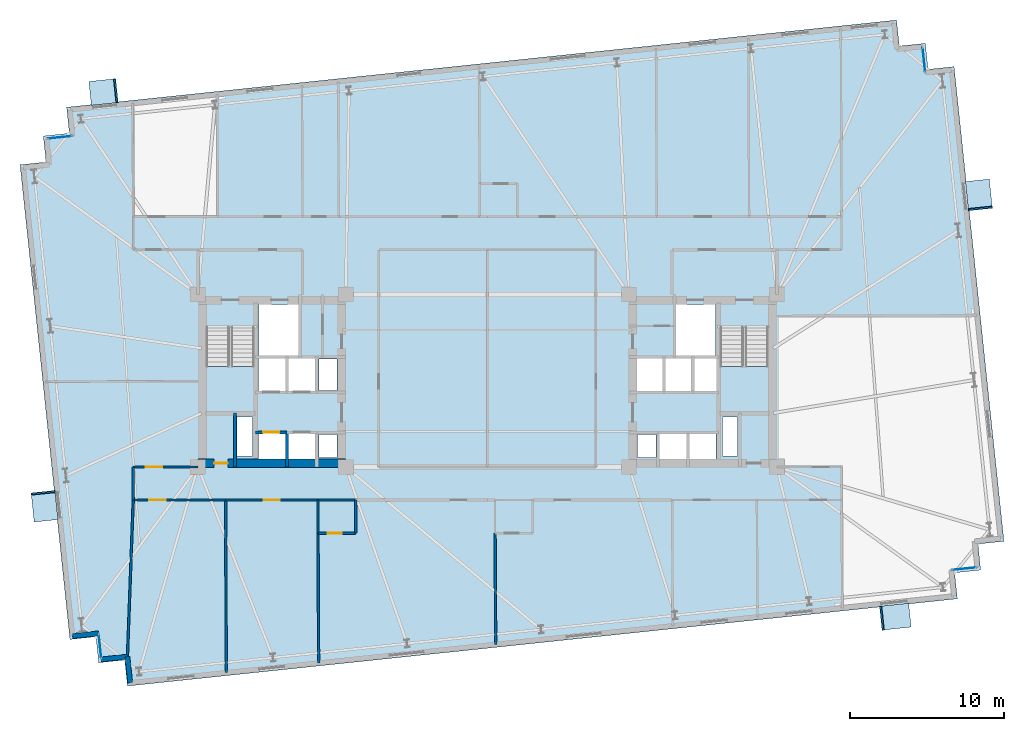
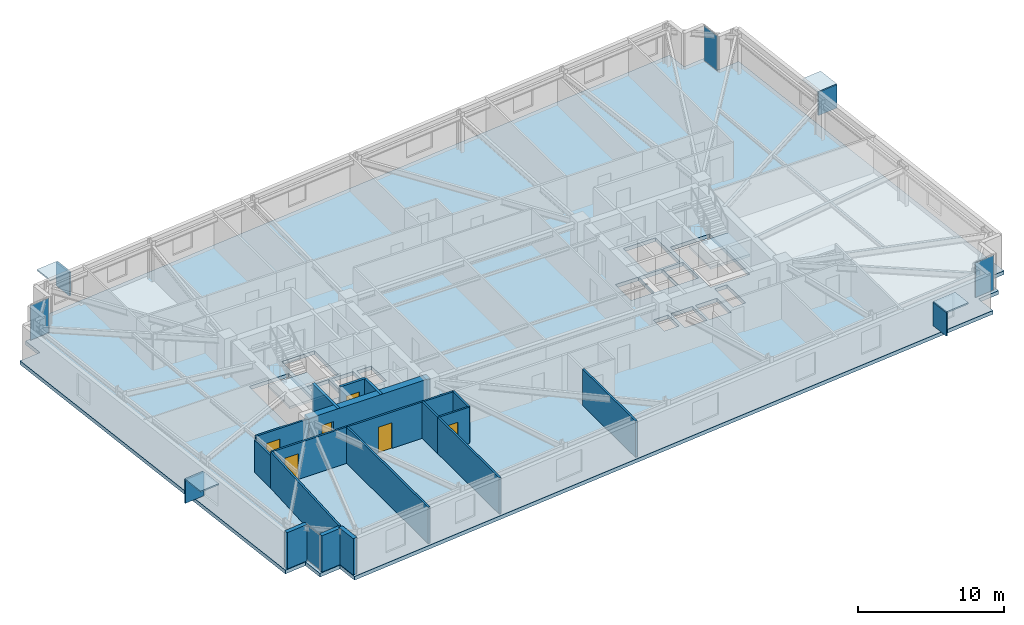
# One storey, part 11 of 18: 19 walls, 12 plates, 6 doors, 3 slabs, 6 openings, 6 elements without a shape of their own.
"""IFC4 building model written with IfcOpenShell, lengths in metres."""

from ifc_helpers import new_model, si_unit, direction, frame, frame_2d, origin, origin_2d, place, context, subcontext, project, spatial, polyline, rectangle, outline, extrude, material, layer, layer_set, type_object, element, fill, aggregate, save


model = new_model("IFC4")

# Units and contexts
model_context = context("Model", 3, precision=1e-05, world=origin(), true_north=direction((0.0, 1.0)))
body_context = subcontext(model_context, "Body", "Model", "MODEL_VIEW")
ifc_project = project(units=[si_unit("LENGTHUNIT", "METRE"), si_unit("AREAUNIT", "SQUARE_METRE"), si_unit("VOLUMEUNIT", "CUBIC_METRE"), si_unit("PLANEANGLEUNIT", "RADIAN"), si_unit("MASSUNIT", "GRAM", prefix="KILO")], contexts=[model_context])

# Site, building, storey
site_placement = place(None, origin())
site = spatial("IfcSite", under=ifc_project, at=site_placement, CompositionType="ELEMENT")
building_placement = place(site_placement, origin())
building = spatial("IfcBuilding", under=site, at=building_placement, Name="Qobustan Lattice House", CompositionType="ELEMENT")
storey_placement = place(building_placement, frame((0.0, 0.0, 109.14990234375)))
storey = spatial("IfcBuildingStorey", under=building, at=storey_placement, Name="L30", CompositionType="ELEMENT", Elevation=109.14990234375)

# Curtain wall, plate
ifc_material_1 = material(Name="Anodised aluminium and low-E glazing", Category="aluminium")
ifc_layer_1 = layer(ifc_material_1, 0.219970703125)
ifc_layer_set_1 = layer_set([ifc_layer_1], Name="Anodised aluminium and low-E glazing")
curtain_wall_type = type_object("IfcCurtainWallType", Name="CW-FAC-01", PredefinedType="USERDEFINED", material=ifc_layer_set_1)
curtain_wall_1_placement = place(storey_placement, origin())
curtain_wall_1 = element("IfcCurtainWall", 1, at=curtain_wall_1_placement, inside=storey, type_object=curtain_wall_type, Name="L30 serrated corner faceted glazing 3", ObjectType="CURTAIN WALL", PredefinedType="USERDEFINED")
ifc_material_2 = material(Name="Clear low-E laminated glass", Category="glass")
ifc_layer_2 = layer(ifc_material_2, 0.031982421875)
ifc_layer_set_2 = layer_set([ifc_layer_2], Name="Clear low-E laminated glass")
plate_type_1 = type_object("IfcPlateType", Name="CWP-VISION-32", PredefinedType="CURTAIN_PANEL", material=ifc_layer_set_2)
plate_1_placement = place(storey_placement, frame((-25.155029296875, -17.2509765625, 0.065185546875), z_axis=(0.0, 0.0, 1.0), x_axis=(-0.104528620025, 0.994521878892, 0.0)))
plate_1 = element("IfcPlate", 2, at=plate_1_placement, type_object=plate_type_1, Name="CW-F1 panel 1.1", PredefinedType="CURTAIN_PANEL", context=body_context, shape_type="SweptSolid", body=[
    extrude(rectangle(XDim=1.56005859375, YDim=0.031982421875, at=origin_2d()), origin(), (0.0, 0.0, 1.0), 2.9150390625),
])
aggregate(curtain_wall_1, [plate_1])

curtain_wall_2_placement = place(storey_placement, origin())
curtain_wall_2 = element("IfcCurtainWall", 3, at=curtain_wall_2_placement, inside=storey, type_object=curtain_wall_type, Name="L30 serrated corner faceted glazing 8", ObjectType="CURTAIN WALL", PredefinedType="USERDEFINED")
plate_2_placement = place(storey_placement, frame((-27.77490234375, 15.80615234375, 0.065185546875), z_axis=(0.0, 0.0, 1.0), x_axis=(0.994521878892, 0.104528620025, 0.0)))
plate_2 = element("IfcPlate", 4, at=plate_2_placement, type_object=plate_type_1, Name="CW-F1 panel 1.1", PredefinedType="CURTAIN_PANEL", context=body_context, shape_type="SweptSolid", body=[
    extrude(rectangle(XDim=1.56005859375, YDim=0.031982421875, at=origin_2d()), origin(), (0.0, 0.0, 1.0), 2.9150390625),
])
aggregate(curtain_wall_2, [plate_2])

curtain_wall_3_placement = place(storey_placement, origin())
curtain_wall_3 = element("IfcCurtainWall", 5, at=curtain_wall_3_placement, inside=storey, type_object=curtain_wall_type, Name="L30 serrated corner faceted glazing 13", ObjectType="CURTAIN WALL", PredefinedType="USERDEFINED")
plate_3_placement = place(storey_placement, frame((28.355224609375, 20.85107421875, 0.065185546875), z_axis=(0.0, 0.0, 1.0), x_axis=(0.104528620025, -0.994521878892, 0.0)))
plate_3 = element("IfcPlate", 6, at=plate_3_placement, type_object=plate_type_1, Name="CW-F1 panel 1.1", PredefinedType="CURTAIN_PANEL", context=body_context, shape_type="SweptSolid", body=[
    extrude(rectangle(XDim=1.56005859375, YDim=0.031982421875, at=origin_2d()), origin(), (0.0, 0.0, 1.0), 2.9150390625),
])
aggregate(curtain_wall_3, [plate_3])

curtain_wall_4_placement = place(storey_placement, origin())
curtain_wall_4 = element("IfcCurtainWall", 7, at=curtain_wall_4_placement, inside=storey, type_object=curtain_wall_type, Name="L30 serrated corner faceted glazing 18", ObjectType="CURTAIN WALL", PredefinedType="USERDEFINED")
plate_4_placement = place(storey_placement, frame((30.974853515625, -12.206298828125, 0.065185546875), z_axis=(0.0, 0.0, 1.0), x_axis=(-0.994521878892, -0.104528620025, 0.0)))
plate_4 = element("IfcPlate", 8, at=plate_4_placement, type_object=plate_type_1, Name="CW-F1 panel 1.1", PredefinedType="CURTAIN_PANEL", context=body_context, shape_type="SweptSolid", body=[
    extrude(rectangle(XDim=1.56005859375, YDim=0.031982421875, at=origin_2d()), origin(), (0.0, 0.0, 1.0), 2.9150390625),
])
aggregate(curtain_wall_4, [plate_4])

# Plates
ifc_material_3 = material(Name="Qobustan limestone GFRC", Category="masonry")
ifc_layer_3 = layer(ifc_material_3, 0.1201171875)
ifc_layer_set_3 = layer_set([ifc_layer_3], Name="Qobustan limestone GFRC")
plate_type_2 = type_object("IfcPlateType", Name="SHD-HOOD-BROW", PredefinedType="USERDEFINED", material=ifc_layer_set_3)
plate_5_placement = place(storey_placement, frame((-28.755615234375, -8.156494140625, 2.699951171875), z_axis=(0.0, 0.0, 1.0), x_axis=(-0.104528463268, 0.994521895368, 0.0)))
element("IfcPlate", 9, at=plate_5_placement, inside=storey, type_object=plate_type_2, Name="L30 splayed Qobustan stone hood brow", ObjectType="SUNSHADE", PredefinedType="USERDEFINED", context=body_context, shape_type="SweptSolid", body=[
    extrude(rectangle(XDim=1.889892578125, YDim=1.56005859375, at=origin_2d()), origin(), (0.0, 0.0, 1.0), 0.1201171875),
])
plate_6_placement = place(storey_placement, frame((-28.84814453125, -7.276123046875, 0.7900390625), z_axis=(0.0, 0.0, 1.0), x_axis=(-0.104528463268, 0.994521895368, 0.0)))
element("IfcPlate", 10, at=plate_6_placement, inside=storey, type_object=plate_type_2, Name="L30 splayed Qobustan stone hood cheek", ObjectType="SUNSHADE", PredefinedType="USERDEFINED", context=body_context, shape_type="SweptSolid", body=[
    extrude(rectangle(XDim=0.1201171875, YDim=1.56005859375, at=origin_2d()), origin(), (0.0, 0.0, 1.0), 1.969970703125),
])
plate_7_placement = place(storey_placement, frame((-24.935302734375, 18.7490234375, 2.699951171875), z_axis=(0.0, 0.0, 1.0), x_axis=(0.994521895368, 0.104528463268, 0.0)))
element("IfcPlate", 11, at=plate_7_placement, inside=storey, type_object=plate_type_2, Name="L30 splayed Qobustan stone hood brow", ObjectType="SUNSHADE", PredefinedType="USERDEFINED", context=body_context, shape_type="SweptSolid", body=[
    extrude(rectangle(XDim=1.739990234375, YDim=1.56005859375, at=origin_2d()), origin(), (0.0, 0.0, 1.0), 0.1201171875),
])
plate_8_placement = place(storey_placement, frame((-24.129638671875, 18.833740234375, 0.7900390625), z_axis=(0.0, 0.0, 1.0), x_axis=(0.994521895368, 0.104528463268, 0.0)))
element("IfcPlate", 12, at=plate_8_placement, inside=storey, type_object=plate_type_2, Name="L30 splayed Qobustan stone hood cheek", ObjectType="SUNSHADE", PredefinedType="USERDEFINED", context=body_context, shape_type="SweptSolid", body=[
    extrude(rectangle(XDim=0.1201171875, YDim=1.56005859375, at=origin_2d()), origin(), (0.0, 0.0, 1.0), 1.969970703125),
])
plate_9_placement = place(storey_placement, frame((31.922119140625, 12.074951171875, 2.699951171875), z_axis=(0.0, 0.0, 1.0), x_axis=(0.104528463268, -0.994521895368, 0.0)))
element("IfcPlate", 13, at=plate_9_placement, inside=storey, type_object=plate_type_2, Name="L30 splayed Qobustan stone hood brow", ObjectType="SUNSHADE", PredefinedType="USERDEFINED", context=body_context, shape_type="SweptSolid", body=[
    extrude(rectangle(XDim=1.889892578125, YDim=1.56005859375, at=origin_2d()), origin(), (0.0, 0.0, 1.0), 0.1201171875),
])
plate_10_placement = place(storey_placement, frame((32.0146484375, 11.19482421875, 0.7900390625), z_axis=(0.0, 0.0, 1.0), x_axis=(0.104528463268, -0.994521895368, 0.0)))
element("IfcPlate", 14, at=plate_10_placement, inside=storey, type_object=plate_type_2, Name="L30 splayed Qobustan stone hood cheek", ObjectType="SUNSHADE", PredefinedType="USERDEFINED", context=body_context, shape_type="SweptSolid", body=[
    extrude(rectangle(XDim=0.1201171875, YDim=1.56005859375, at=origin_2d()), origin(), (0.0, 0.0, 1.0), 1.969970703125),
])
plate_11_placement = place(storey_placement, frame((26.503173828125, -15.32080078125, 2.699951171875), z_axis=(0.0, 0.0, 1.0), x_axis=(-0.994521895368, -0.104528463268, 0.0)))
element("IfcPlate", 15, at=plate_11_placement, inside=storey, type_object=plate_type_2, Name="L30 splayed Qobustan stone hood brow", ObjectType="SUNSHADE", PredefinedType="USERDEFINED", context=body_context, shape_type="SweptSolid", body=[
    extrude(rectangle(XDim=1.889892578125, YDim=1.56005859375, at=origin_2d()), origin(), (0.0, 0.0, 1.0), 0.1201171875),
])
plate_12_placement = place(storey_placement, frame((25.623046875, -15.4130859375, 0.7900390625), z_axis=(0.0, 0.0, 1.0), x_axis=(-0.994521895368, -0.104528463268, 0.0)))
element("IfcPlate", 16, at=plate_12_placement, inside=storey, type_object=plate_type_2, Name="L30 splayed Qobustan stone hood cheek", ObjectType="SUNSHADE", PredefinedType="USERDEFINED", context=body_context, shape_type="SweptSolid", body=[
    extrude(rectangle(XDim=0.1201171875, YDim=1.56005859375, at=origin_2d()), origin(), (0.0, 0.0, 1.0), 1.969970703125),
])

# Slab
ifc_material_4 = material(Name="Concrete C40/50", Category="concrete")
ifc_layer_4 = layer(ifc_material_4, 0.304931640625)
ifc_layer_set_4 = layer_set([ifc_layer_4], Name="Concrete C40/50")
slab_type_1 = type_object("IfcSlabType", Name="SLB-FLR-305", PredefinedType="FLOOR", material=ifc_layer_set_4)
slab_1_placement = place(storey_placement, frame((0.0, 0.0, -0.304931640625)))
element("IfcSlab", 17, at=slab_1_placement, inside=storey, type_object=slab_type_1, Name="L30 structural floor slab", PredefinedType="FLOOR", context=body_context, shape_type="SweptSolid", body=[
    extrude(outline(polyline([(-23.3759765625, -19.8291015625), (30.527099609375, -14.163818359375), (30.349365234375, -12.47314453125), (32.0400390625, -12.29541015625), (31.8623046875, -10.604736328125), (33.552978515625, -10.427001953125), (30.312744140625, 20.4033203125), (28.6220703125, 20.2255859375), (28.4443359375, 21.916259765625), (26.753662109375, 21.738525390625), (26.575927734375, 23.42919921875), (-27.3271484375, 17.763671875), (-27.1494140625, 16.072998046875), (-28.840087890625, 15.8955078125), (-28.662353515625, 14.20458984375), (-30.35302734375, 14.027099609375), (-27.11279296875, -16.80322265625), (-25.422119140625, -16.62548828125), (-25.244384765625, -18.316162109375), (-23.5537109375, -18.138427734375), (-23.3759765625, -19.8291015625)]), holes=[polyline([(-18.25, -2.050048828125), (-18.25, 3.489990234375), (-15.1298828125, 3.489990234375), (-15.1298828125, -2.050048828125), (-18.25, -2.050048828125)]), polyline([(15.1298828125, -2.050048828125), (15.1298828125, 3.489990234375), (18.25, 3.489990234375), (18.25, -2.050048828125), (15.1298828125, -2.050048828125)]), polyline([(-14.820068359375, 1.64990234375), (-14.820068359375, 4.9599609375), (-12.25, 4.9599609375), (-12.25, 1.64990234375), (-14.820068359375, 1.64990234375)]), polyline([(12.25, 1.64990234375), (12.25, 4.9599609375), (14.820068359375, 4.9599609375), (14.820068359375, 1.64990234375), (12.25, 1.64990234375)]), polyline([(-16.260009765625, -4.8798828125), (-16.260009765625, -2.360107421875), (-15.260009765625, -2.360107421875), (-15.260009765625, -4.8798828125), (-16.260009765625, -4.8798828125)]), polyline([(15.260009765625, -4.8798828125), (15.260009765625, -2.360107421875), (16.260009765625, -2.360107421875), (16.260009765625, -4.8798828125), (15.260009765625, -4.8798828125)]), polyline([(-14.85009765625, -5.35009765625), (-14.85009765625, -3.419921875), (-13.1201171875, -3.419921875), (-13.1201171875, -5.35009765625), (-14.85009765625, -5.35009765625)]), polyline([(-12.919921875, -5.35009765625), (-12.919921875, -3.419921875), (-11.179931640625, -3.419921875), (-11.179931640625, -5.35009765625), (-12.919921875, -5.35009765625)]), polyline([(-14.85009765625, -0.679931640625), (-14.85009765625, 1.47998046875), (-13.1201171875, 1.47998046875), (-13.1201171875, -0.679931640625), (-14.85009765625, -0.679931640625)]), polyline([(-12.919921875, -0.679931640625), (-12.919921875, 1.47998046875), (-11.179931640625, 1.47998046875), (-11.179931640625, -0.679931640625), (-12.919921875, -0.679931640625)]), polyline([(-10.93994140625, -5.0), (-10.93994140625, -3.47998046875), (-9.760009765625, -3.47998046875), (-9.760009765625, -5.0), (-10.93994140625, -5.0)]), polyline([(-10.93994140625, -0.6201171875), (-10.93994140625, 1.419921875), (-9.760009765625, 1.419921875), (-9.760009765625, -0.6201171875), (-10.93994140625, -0.6201171875)]), polyline([(11.179931640625, -5.35009765625), (11.179931640625, -3.419921875), (12.919921875, -3.419921875), (12.919921875, -5.35009765625), (11.179931640625, -5.35009765625)]), polyline([(13.1201171875, -5.35009765625), (13.1201171875, -3.419921875), (14.85009765625, -3.419921875), (14.85009765625, -5.35009765625), (13.1201171875, -5.35009765625)]), polyline([(9.760009765625, -5.0), (9.760009765625, -3.47998046875), (10.93994140625, -3.47998046875), (10.93994140625, -5.0), (9.760009765625, -5.0)]), polyline([(13.360107421875, -0.679931640625), (13.360107421875, 1.47998046875), (14.97998046875, 1.47998046875), (14.97998046875, -0.679931640625), (13.360107421875, -0.679931640625)]), polyline([(9.6201171875, -0.679931640625), (9.6201171875, 1.47998046875), (11.43994140625, 1.47998046875), (11.43994140625, -0.679931640625), (9.6201171875, -0.679931640625)]), polyline([(11.5, -0.679931640625), (11.5, 1.47998046875), (13.320068359375, 1.47998046875), (13.320068359375, -0.679931640625), (11.5, -0.679931640625)])]), origin(), (0.0, 0.0, 1.0), 0.304931640625),
])

# Stair, slab
ifc_material_5 = material(Name="Concrete C40/50", Category="concrete")
stair_type = type_object("IfcStairType", Name="STR-CORE-DOGLEG", PredefinedType="HALF_TURN_STAIR", material=ifc_material_5)
stair_1_placement = place(storey_placement, origin())
stair_1 = element("IfcStair", 18, at=stair_1_placement, inside=storey, type_object=stair_type, Name="L30 West protected exit stair ST-W1", PredefinedType="HALF_TURN_STAIR")
ifc_material_6 = material(Name="Concrete C40/50", Category="concrete")
ifc_layer_5 = layer(ifc_material_6, 0.199951171875)
ifc_layer_set_5 = layer_set([ifc_layer_5], Name="Concrete C40/50")
slab_type_2 = type_object("IfcSlabType", Name="SLB-LANDING-200", PredefinedType="LANDING", material=ifc_layer_set_5)
slab_2_placement = place(storey_placement, frame((0.0, 0.0, 1.47509765625)))
slab_2 = element("IfcSlab", 19, at=slab_2_placement, type_object=slab_type_2, Name="ST-W1 landing 1", PredefinedType="LANDING", context=body_context, shape_type="SweptSolid", body=[
    extrude(outline(polyline([(-18.25, 0.93505859375), (-18.25, -2.050048828125), (-15.1298828125, -2.050048828125), (-15.1298828125, 0.93505859375), (-18.25, 0.93505859375)])), origin(), (0.0, 0.0, 1.0), 0.199951171875),
])
aggregate(stair_1, [slab_2])

stair_2_placement = place(storey_placement, origin())
stair_2 = element("IfcStair", 20, at=stair_2_placement, inside=storey, type_object=stair_type, Name="L30 East protected exit stair ST-E1", PredefinedType="HALF_TURN_STAIR")
slab_3_placement = place(storey_placement, frame((0.0, 0.0, 1.47509765625)))
slab_3 = element("IfcSlab", 21, at=slab_3_placement, type_object=slab_type_2, Name="ST-E1 landing 1", PredefinedType="LANDING", context=body_context, shape_type="SweptSolid", body=[
    extrude(outline(polyline([(15.1298828125, 0.93505859375), (15.1298828125, -2.050048828125), (18.25, -2.050048828125), (18.25, 0.93505859375), (15.1298828125, 0.93505859375)])), origin(), (0.0, 0.0, 1.0), 0.199951171875),
])
aggregate(stair_2, [slab_3])

# Wall, opening, door
ifc_material_7 = material(Name="Concrete C60/75", Category="concrete")
ifc_layer_6 = layer(ifc_material_7, 0.56005859375)
ifc_layer_set_6 = layer_set([ifc_layer_6], Name="Concrete C60/75")
wall_type_1 = type_object("IfcWallType", Name="WAL-CORE-600", PredefinedType="SHEAR", material=ifc_layer_set_6)
wall_1_placement = place(storey_placement, frame((-18.800048828125, -5.35009765625, 0.0), z_axis=(0.0, 0.0, 1.0), x_axis=(1.0, 0.0, 0.0)))
wall_1 = element("IfcWall", 22, at=wall_1_placement, inside=storey, type_object=wall_type_1, Name="L30 split-core shear wall CW-S", PredefinedType="SHEAR", context=body_context, shape_type="SweptSolid", body=[
    extrude(rectangle(XDim=9.60009765625, YDim=0.56005859375, at=frame_2d((4.800048828125, 0.0))), origin(), (0.0, 0.0, 1.0), 3.045166015625),
])
opening_1_placement = place(wall_1_placement, frame((1.050048828125, 0.0, 0.0)))
opening_1 = element("IfcOpeningElement", 23, at=opening_1_placement, cuts=wall_1, Name="Opening RD-01", PredefinedType="OPENING", context=body_context, shape_type="SweptSolid", body=[
    extrude(rectangle(XDim=0.89990234375, YDim=2.10009765625, at=frame_2d((0.449951171875, 1.050048828125))), frame((0.0, 0.2900390625, 0.0), z_axis=(0.0, -1.0, 0.0), x_axis=(1.0, 0.0, 0.0)), (0.0, 0.0, 1.0), 0.580078125),
])
ifc_material_8 = material(Name="Persian walnut timber and steel frame door", Category="steel")
door_type_1 = type_object("IfcDoorType", Name="DOR-RISER-FD-900x2100", OperationType="NOTDEFINED", PredefinedType="DOOR", material=ifc_material_8)
door_1_placement = place(opening_1_placement, origin())
door_1 = element("IfcDoor", 24, at=door_1_placement, inside=storey, type_object=door_type_1, Name="L30 core service riser access door W", OperationType="SINGLE_SWING_RIGHT", OverallHeight=2.10009765625, OverallWidth=0.89990234375, PredefinedType="DOOR", context=body_context, shape_type="SweptSolid", body=[
    extrude(rectangle(XDim=0.89990234375, YDim=2.10009765625, at=frame_2d((0.449951171875, 1.050048828125))), frame((0.0, 0.02490234375, 0.0), z_axis=(0.0, -1.0, 0.0), x_axis=(1.0, 0.0, 0.0)), (0.0, 0.0, 1.0), 0.050048828125),
])
fill(opening_1, door_1)

# Walls
ifc_material_9 = material(Name="Precast concrete C40/50", Category="concrete")
ifc_layer_7 = layer(ifc_material_9, 0.320068359375)
ifc_layer_set_7 = layer_set([ifc_layer_7], Name="Precast concrete C40/50")
wall_type_2 = type_object("IfcWallType", Name="WAL-EXT-STONE-320", PredefinedType="SOLIDWALL", material=ifc_layer_set_7)
for number, where, z_axis, x_axis, name in (
    (25, (-23.197998046875, -19.609375, 0.0), (0.0, 0.0, 1.0), (-0.104550220202, 0.994519608382, 0.0), "L30 exterior limestone-clad wall 1"),
    (26, (-23.375732421875, -17.918701171875, 0.0), (0.0, 0.0, 1.0), (-0.994519608382, -0.104550220202, 0.0), "L30 exterior limestone-clad wall 2"),
):
    element("IfcWall", number, at=place(storey_placement, frame(where, z_axis=z_axis, x_axis=x_axis)), inside=storey, type_object=wall_type_2, Name=name, PredefinedType="SOLIDWALL", context=body_context, shape_type="SweptSolid", body=[
        extrude(rectangle(XDim=1.699951171875, YDim=0.320068359375, at=frame_2d((0.85009765625, 0.0))), origin(), (0.0, 0.0, 1.0), 3.045166015625),
    ])
wall_2_placement = place(storey_placement, frame((-25.243896484375, -16.40576171875, 0.0), z_axis=(0.0, 0.0, 1.0), x_axis=(-0.994521177842, -0.104535289845, 0.0)))
element("IfcWall", 27, at=wall_2_placement, inside=storey, type_object=wall_type_2, Name="L30 exterior limestone-clad wall 4", PredefinedType="SOLIDWALL", context=body_context, shape_type="SweptSolid", body=[
    extrude(rectangle(XDim=1.7001953125, YDim=0.320068359375, at=frame_2d((0.85009765625, 0.0))), origin(), (0.0, 0.0, 1.0), 3.045166015625),
])

# Wall, opening, door
ifc_material_10 = material(Name="Acoustic twin-stud gypsum partition", Category="gypsum")
ifc_layer_8 = layer(ifc_material_10, 0.14990234375)
ifc_layer_set_8 = layer_set([ifc_layer_8], Name="Acoustic twin-stud gypsum partition")
wall_type_3 = type_object("IfcWallType", Name="WAL-PART-150", PredefinedType="PARTITIONING", material=ifc_layer_set_8)
wall_3_placement = place(storey_placement, frame((-23.0, -5.60009765625, 0.0), z_axis=(0.0, 0.0, 1.0), x_axis=(1.0, 0.0, 0.0)))
wall_3 = element("IfcWall", 28, at=wall_3_placement, inside=storey, type_object=wall_type_3, Name="L30 interior partition 53", PredefinedType="PARTITIONING", context=body_context, shape_type="SweptSolid", body=[
    extrude(rectangle(XDim=4.199951171875, YDim=0.14990234375, at=frame_2d((2.10009765625, 0.0))), origin(), (0.0, 0.0, 1.0), 3.045166015625),
])
opening_2_placement = place(wall_3_placement, frame((0.82861328125, 0.0, 0.0)))
opening_2 = element("IfcOpeningElement", 29, at=opening_2_placement, cuts=wall_3, Name="Opening ID-02", PredefinedType="OPENING", context=body_context, shape_type="SweptSolid", body=[
    extrude(rectangle(XDim=1.050048828125, YDim=2.14990234375, at=frame_2d((0.52490234375, 1.074951171875))), frame((0.0, 0.0849609375, 0.0), z_axis=(0.0, -1.0, 0.0), x_axis=(1.0, 0.0, 0.0)), (0.0, 0.0, 1.0), 0.169921875),
])
ifc_material_11 = material(Name="Persian walnut timber and steel frame door", Category="steel")
door_type_2 = type_object("IfcDoorType", Name="DOR-STUDY-1050x2150", OperationType="NOTDEFINED", PredefinedType="DOOR", material=ifc_material_11)
door_2_placement = place(opening_2_placement, origin())
door_2 = element("IfcDoor", 30, at=door_2_placement, inside=storey, type_object=door_type_2, Name="L30 South-west floor corridor to Academic seminar room door", OperationType="SINGLE_SWING_LEFT", OverallHeight=2.14990234375, OverallWidth=1.050048828125, PredefinedType="DOOR", context=body_context, shape_type="SweptSolid", body=[
    extrude(rectangle(XDim=1.050048828125, YDim=2.14990234375, at=frame_2d((0.52490234375, 1.074951171875))), frame((0.0, 0.02490234375, 0.0), z_axis=(0.0, -1.0, 0.0), x_axis=(1.0, 0.0, 0.0)), (0.0, 0.0, 1.0), 0.050048828125),
])
fill(opening_2, door_2)

# Wall
wall_4_placement = place(storey_placement, frame((-23.0, -7.75, 0.0), z_axis=(0.0, 0.0, 1.0), x_axis=(0.0, 1.0, 0.0)))
element("IfcWall", 31, at=wall_4_placement, inside=storey, type_object=wall_type_3, Name="L30 interior partition 54", PredefinedType="PARTITIONING", context=body_context, shape_type="SweptSolid", body=[
    extrude(rectangle(XDim=2.14990234375, YDim=0.14990234375, at=frame_2d((1.074951171875, 0.0))), origin(), (0.0, 0.0, 1.0), 2.7001953125),
])

# Wall, opening, door
wall_5_placement = place(storey_placement, frame((-17.0, -7.75, 0.0), z_axis=(0.0, 0.0, 1.0), x_axis=(-1.0, 0.0, 0.0)))
wall_5 = element("IfcWall", 32, at=wall_5_placement, inside=storey, type_object=wall_type_3, Name="L30 interior partition 55", PredefinedType="PARTITIONING", context=body_context, shape_type="SweptSolid", body=[
    extrude(rectangle(XDim=6.0, YDim=0.14990234375, at=frame_2d((3.0, 0.0))), origin(), (0.0, 0.0, 1.0), 3.045166015625),
])
opening_3_placement = place(wall_5_placement, frame((3.896240234375, 0.0, 0.0)))
opening_3 = element("IfcOpeningElement", 33, at=opening_3_placement, cuts=wall_5, Name="Opening ID-02", PredefinedType="OPENING", context=body_context, shape_type="SweptSolid", body=[
    extrude(rectangle(XDim=1.050048828125, YDim=2.14990234375, at=frame_2d((0.52490234375, 1.074951171875))), frame((0.0, 0.0849609375, 0.0), z_axis=(0.0, -1.0, 0.0), x_axis=(1.0, 0.0, 0.0)), (0.0, 0.0, 1.0), 0.169921875),
])
door_3_placement = place(opening_3_placement, origin())
door_3 = element("IfcDoor", 34, at=door_3_placement, inside=storey, type_object=door_type_2, Name="L30 South-west floor corridor to Focus study room S1A door", OperationType="SINGLE_SWING_RIGHT", OverallHeight=2.14990234375, OverallWidth=1.050048828125, PredefinedType="DOOR", context=body_context, shape_type="SweptSolid", body=[
    extrude(rectangle(XDim=1.050048828125, YDim=2.14990234375, at=frame_2d((0.52490234375, 1.074951171875))), frame((0.0, 0.02490234375, 0.0), z_axis=(0.0, -1.0, 0.0), x_axis=(1.0, 0.0, 0.0)), (0.0, 0.0, 1.0), 0.050048828125),
])
fill(opening_3, door_3)

wall_6_placement = place(storey_placement, frame((-11.0, -7.75, 0.0), z_axis=(0.0, 0.0, 1.0), x_axis=(-1.0, 0.0, 0.0)))
wall_6 = element("IfcWall", 35, at=wall_6_placement, inside=storey, type_object=wall_type_3, Name="L30 interior partition 56", PredefinedType="PARTITIONING", context=body_context, shape_type="SweptSolid", body=[
    extrude(rectangle(XDim=6.0, YDim=0.14990234375, at=frame_2d((3.0, 0.0))), origin(), (0.0, 0.0, 1.0), 3.045166015625),
])
opening_4_placement = place(wall_6_placement, frame((2.47509765625, 0.0, 0.0)))
opening_4 = element("IfcOpeningElement", 36, at=opening_4_placement, cuts=wall_6, Name="Opening ID-02", PredefinedType="OPENING", context=body_context, shape_type="SweptSolid", body=[
    extrude(rectangle(XDim=1.050048828125, YDim=2.14990234375, at=frame_2d((0.52490234375, 1.074951171875))), frame((0.0, 0.0849609375, 0.0), z_axis=(0.0, -1.0, 0.0), x_axis=(1.0, 0.0, 0.0)), (0.0, 0.0, 1.0), 0.169921875),
])
door_4_placement = place(opening_4_placement, origin())
door_4 = element("IfcDoor", 37, at=door_4_placement, inside=storey, type_object=door_type_2, Name="L30 South-west floor corridor to Focus study room S1B door", OperationType="SINGLE_SWING_LEFT", OverallHeight=2.14990234375, OverallWidth=1.050048828125, PredefinedType="DOOR", context=body_context, shape_type="SweptSolid", body=[
    extrude(rectangle(XDim=1.050048828125, YDim=2.14990234375, at=frame_2d((0.52490234375, 1.074951171875))), frame((0.0, 0.02490234375, 0.0), z_axis=(0.0, -1.0, 0.0), x_axis=(1.0, 0.0, 0.0)), (0.0, 0.0, 1.0), 0.050048828125),
])
fill(opening_4, door_4)

# Walls
wall_7_placement = place(storey_placement, frame((-23.0, -7.75, 0.0), z_axis=(0.0, 0.0, 1.0), x_axis=(-0.036924695214, -0.999318050914, 0.0)))
element("IfcWall", 38, at=wall_7_placement, inside=storey, type_object=wall_type_3, Name="L30 interior partition 71", PredefinedType="PARTITIONING", context=body_context, shape_type="SweptSolid", body=[
    extrude(rectangle(XDim=10.175537109375, YDim=0.14990234375, at=frame_2d((5.087890625, 0.0))), origin(), (0.0, 0.0, 1.0), 3.045166015625),
])
wall_8_placement = place(storey_placement, frame((-17.0, -7.75, 0.0), z_axis=(0.0, 0.0, 1.0), x_axis=(0.003922478487, -0.999992307052, 0.0)))
element("IfcWall", 39, at=wall_8_placement, inside=storey, type_object=wall_type_3, Name="L30 interior partition 85", PredefinedType="PARTITIONING", context=body_context, shape_type="SweptSolid", body=[
    extrude(rectangle(XDim=11.203369140625, YDim=0.14990234375, at=frame_2d((5.6015625, 0.0))), origin(), (0.0, 0.0, 1.0), 3.045166015625),
])
wall_9_placement = place(storey_placement, frame((-11.0, -9.89990234375, 0.0), z_axis=(0.0, 0.0, 1.0), x_axis=(0.005217320294, -0.999986389692, 0.0)))
element("IfcWall", 40, at=wall_9_placement, inside=storey, type_object=wall_type_3, Name="L30 interior partition 86", PredefinedType="PARTITIONING", context=body_context, shape_type="SweptSolid", body=[
    extrude(rectangle(XDim=8.4228515625, YDim=0.14990234375, at=frame_2d((4.21142578125, 0.0))), origin(), (0.0, 0.0, 1.0), 3.045166015625),
])
wall_10_placement = place(storey_placement, frame((0.5, -9.89990234375, 0.0), z_axis=(0.0, 0.0, 1.0), x_axis=(0.006091463685, -0.999981446863, 0.0)))
element("IfcWall", 41, at=wall_10_placement, inside=storey, type_object=wall_type_3, Name="L30 interior partition 90", PredefinedType="PARTITIONING", context=body_context, shape_type="SweptSolid", body=[
    extrude(rectangle(XDim=7.21435546875, YDim=0.14990234375, at=frame_2d((3.607177734375, 0.0))), origin(), (0.0, 0.0, 1.0), 3.045166015625),
])
ifc_material_12 = material(Name="Concrete C40/50", Category="concrete")
ifc_layer_9 = layer(ifc_material_12, 0.199951171875)
ifc_layer_set_9 = layer_set([ifc_layer_9], Name="Concrete C40/50")
wall_type_4 = type_object("IfcWallType", Name="WAL-SHAFT-200", PredefinedType="PARTITIONING", material=ifc_layer_set_9)
wall_11_placement = place(storey_placement, frame((-16.39990234375, -5.60009765625, 0.0), z_axis=(0.0, 0.0, 1.0), x_axis=(0.0, 1.0, 0.0)))
element("IfcWall", 42, at=wall_11_placement, inside=storey, type_object=wall_type_4, Name="L30 interior partition 1", PredefinedType="PARTITIONING", context=body_context, shape_type="SweptSolid", body=[
    extrude(rectangle(XDim=3.489990234375, YDim=0.199951171875, at=frame_2d((1.7451171875, 0.0))), origin(), (0.0, 0.0, 1.0), 3.045166015625),
])

# Wall, opening, door
wall_12_placement = place(storey_placement, frame((-15.050048828125, -3.35009765625, 0.0), z_axis=(0.0, 0.0, 1.0), x_axis=(1.0, 0.0, 0.0)))
wall_12 = element("IfcWall", 43, at=wall_12_placement, inside=storey, type_object=wall_type_4, Name="L30 interior partition 8", PredefinedType="PARTITIONING", context=body_context, shape_type="SweptSolid", body=[
    extrude(rectangle(XDim=2.030029296875, YDim=0.199951171875, at=frame_2d((1.01513671875, 0.0))), origin(), (0.0, 0.0, 1.0), 3.045166015625),
])
opening_5_placement = place(wall_12_placement, frame((0.489990234375, 0.0, 0.0)))
opening_5 = element("IfcOpeningElement", 44, at=opening_5_placement, cuts=wall_12, Name="Opening LD-01", PredefinedType="OPENING", context=body_context, shape_type="SweptSolid", body=[
    extrude(rectangle(XDim=1.050048828125, YDim=2.10009765625, at=frame_2d((0.52490234375, 1.050048828125))), frame((0.0, 0.10986328125, 0.0), z_axis=(0.0, -1.0, 0.0), x_axis=(1.0, 0.0, 0.0)), (0.0, 0.0, 1.0), 0.219970703125),
])
ifc_material_13 = material(Name="Persian walnut timber and steel frame door", Category="steel")
door_type_3 = type_object("IfcDoorType", Name="DOR-LIFT-LD-1050x2100", OperationType="NOTDEFINED", PredefinedType="DOOR", material=ifc_material_13)
door_5_placement = place(opening_5_placement, origin())
door_5 = element("IfcDoor", 45, at=door_5_placement, inside=storey, type_object=door_type_3, Name="L30 lift landing door", OperationType="DOUBLE_DOOR_SLIDING", OverallHeight=2.10009765625, OverallWidth=1.050048828125, PredefinedType="DOOR", context=body_context, shape_type="SweptSolid", body=[
    extrude(rectangle(XDim=1.050048828125, YDim=2.10009765625, at=frame_2d((0.52490234375, 1.050048828125))), frame((0.0, 0.02490234375, 0.0), z_axis=(0.0, -1.0, 0.0), x_axis=(1.0, 0.0, 0.0)), (0.0, 0.0, 1.0), 0.050048828125),
])
fill(opening_5, door_5)

# Walls
wall_13_placement = place(storey_placement, frame((-13.02001953125, -5.60009765625, 0.0), z_axis=(0.0, 0.0, 1.0), x_axis=(0.0, 1.0, 0.0)))
element("IfcWall", 46, at=wall_13_placement, inside=storey, type_object=wall_type_4, Name="L30 interior partition 15", PredefinedType="PARTITIONING", context=body_context, shape_type="SweptSolid", body=[
    extrude(rectangle(XDim=2.25, YDim=0.199951171875, at=frame_2d((1.125, 0.0))), origin(), (0.0, 0.0, 1.0), 3.045166015625),
])
ifc_material_14 = material(Name="Moisture-resistant acoustic plumbing wall", Category="gypsum")
ifc_layer_10 = layer(ifc_material_14, 0.14990234375)
ifc_layer_set_10 = layer_set([ifc_layer_10], Name="Moisture-resistant acoustic plumbing wall")
wall_type_5 = type_object("IfcWallType", Name="WAL-WET-150", PredefinedType="PLUMBINGWALL", material=ifc_layer_set_10)
wall_14_placement = place(storey_placement, frame((-8.550048828125, -7.75, 0.0), z_axis=(0.0, 0.0, 1.0), x_axis=(-1.0, 0.0, 0.0)))
element("IfcWall", 47, at=wall_14_placement, inside=storey, type_object=wall_type_5, Name="L30 interior partition 58", PredefinedType="PLUMBINGWALL", context=body_context, shape_type="SweptSolid", body=[
    extrude(rectangle(XDim=2.449951171875, YDim=0.14990234375, at=frame_2d((1.22509765625, 0.0))), origin(), (0.0, 0.0, 1.0), 3.045166015625),
])
wall_15_placement = place(storey_placement, frame((-11.0, -7.75, 0.0), z_axis=(0.0, 0.0, 1.0), x_axis=(0.0, -1.0, 0.0)))
element("IfcWall", 48, at=wall_15_placement, inside=storey, type_object=wall_type_5, Name="L30 interior partition 87", PredefinedType="PLUMBINGWALL", context=body_context, shape_type="SweptSolid", body=[
    extrude(rectangle(XDim=2.14990234375, YDim=0.14990234375, at=frame_2d((1.074951171875, 0.0))), origin(), (0.0, 0.0, 1.0), 3.045166015625),
])

# Wall, opening, door
wall_16_placement = place(storey_placement, frame((-11.0, -9.89990234375, 0.0), z_axis=(0.0, 0.0, 1.0), x_axis=(1.0, 0.0, 0.0)))
wall_16 = element("IfcWall", 49, at=wall_16_placement, inside=storey, type_object=wall_type_5, Name="L30 interior partition 88", PredefinedType="PLUMBINGWALL", context=body_context, shape_type="SweptSolid", body=[
    extrude(rectangle(XDim=2.449951171875, YDim=0.14990234375, at=frame_2d((1.22509765625, 0.0))), origin(), (0.0, 0.0, 1.0), 3.045166015625),
])
opening_6_placement = place(wall_16_placement, frame((0.628662109375, 0.0, 0.0)))
opening_6 = element("IfcOpeningElement", 50, at=opening_6_placement, cuts=wall_16, Name="Opening WD-01", PredefinedType="OPENING", context=body_context, shape_type="SweptSolid", body=[
    extrude(rectangle(XDim=0.89990234375, YDim=2.10009765625, at=frame_2d((0.449951171875, 1.050048828125))), frame((0.0, 0.0849609375, 0.0), z_axis=(0.0, -1.0, 0.0), x_axis=(1.0, 0.0, 0.0)), (0.0, 0.0, 1.0), 0.169921875),
])
ifc_material_15 = material(Name="Persian walnut timber and steel frame door", Category="steel")
door_type_4 = type_object("IfcDoorType", Name="DOR-WET-900x2100", OperationType="NOTDEFINED", PredefinedType="DOOR", material=ifc_material_15)
door_6_placement = place(opening_6_placement, origin())
door_6 = element("IfcDoor", 51, at=door_6_placement, inside=storey, type_object=door_type_4, Name="L30 Kitchenette and studio apartment L30-S2 to En-suite bathroom L30-S2 door", OperationType="SINGLE_SWING_RIGHT", OverallHeight=2.10009765625, OverallWidth=0.89990234375, PredefinedType="DOOR", context=body_context, shape_type="SweptSolid", body=[
    extrude(rectangle(XDim=0.89990234375, YDim=2.10009765625, at=frame_2d((0.449951171875, 1.050048828125))), frame((0.0, 0.02490234375, 0.0), z_axis=(0.0, -1.0, 0.0), x_axis=(1.0, 0.0, 0.0)), (0.0, 0.0, 1.0), 0.050048828125),
])
fill(opening_6, door_6)

# Wall
wall_17_placement = place(storey_placement, frame((-8.550048828125, -9.89990234375, 0.0), z_axis=(0.0, 0.0, 1.0), x_axis=(0.0, 1.0, 0.0)))
element("IfcWall", 52, at=wall_17_placement, inside=storey, type_object=wall_type_5, Name="L30 interior partition 89", PredefinedType="PLUMBINGWALL", context=body_context, shape_type="SweptSolid", body=[
    extrude(rectangle(XDim=2.14990234375, YDim=0.14990234375, at=frame_2d((1.074951171875, 0.0))), origin(), (0.0, 0.0, 1.0), 3.045166015625),
])

save(model, "model.ifc")
